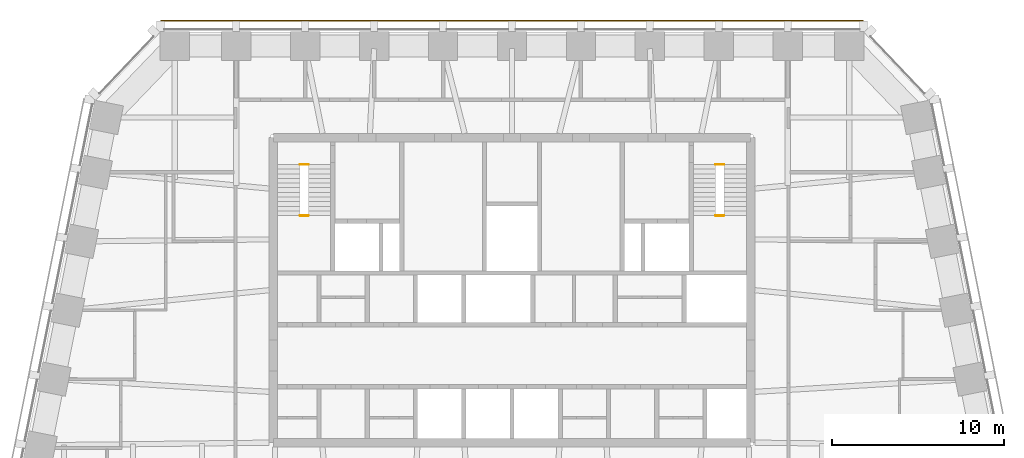
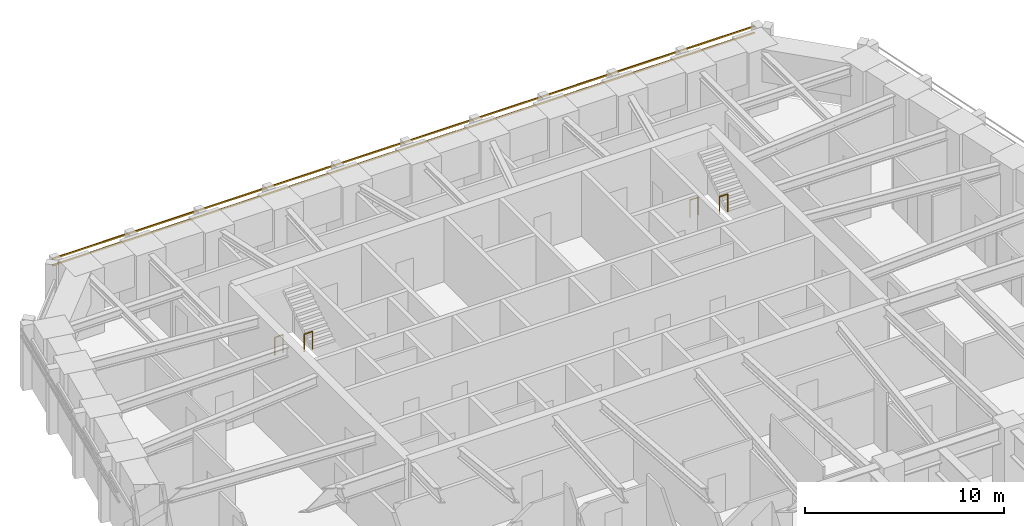
# One storey, part 11 of 11: 4 railings, 2 shading devices.
"""IFC4 building model written with IfcOpenShell, lengths in metres."""

import ifcopenshell
import ifcopenshell.guid

model = None  # the IFC model being written
_history = None  # IfcOwnerHistory: only IFC2X3 demands one
_inside = {}  # id of a spatial element -> (the spatial element, [elements in it])
_under = {}  # id of a project, library or spatial element -> (it, [spatial elements below it])
_declared = {}  # id of a project -> (the project, [libraries it declares])
_typed = {}  # id of a type object -> (the type object, [elements of that type])
_made_of = {}  # id of a material, layer set ... -> (it, [elements and type objects made of it])


def new_model(schema):
    """Start an empty IFC model of exactly this schema.

    Asked for "IFC4X3", IfcOpenShell would pick the latest addendum, in which some entities
    have other attributes; the version numbers below select the first issue.
    IFC2X3 requires an IfcOwnerHistory on every rooted entity: one is made here for all.
    """
    global model, _history
    if schema == "IFC4X3":
        model = ifcopenshell.file(schema_version=(4, 3, 0, 0))
    else:
        model = ifcopenshell.file(schema=schema)
    _inside.clear()
    _under.clear()
    _declared.clear()
    _typed.clear()
    _made_of.clear()
    _history = None
    if model.schema == "IFC2X3":
        org = make("IfcOrganization", Name="unknown")
        user = make(
            "IfcPersonAndOrganization",
            ThePerson=make("IfcPerson", FamilyName="unknown"),
            TheOrganization=org,
        )
        app = make(
            "IfcApplication",
            ApplicationDeveloper=org,
            Version="unknown",
            ApplicationFullName="unknown",
            ApplicationIdentifier="unknown",
        )
        _history = make(
            "IfcOwnerHistory",
            OwningUser=user,
            OwningApplication=app,
            ChangeAction="ADDED",
            CreationDate=0,
        )
    return model


def make(cls, **values):
    """One entity of the class cls with the attributes given. An attribute that is None is left unset."""
    return model.create_entity(
        cls, **{name: value for name, value in values.items() if value is not None}
    )


def rooted(cls, **values):
    """An entity with a GlobalId (a new one), such as an element, a storey or a relation."""
    return make(cls, GlobalId=ifcopenshell.guid.new(), OwnerHistory=_history, **values)


def si_unit(unit_type, name, prefix=None):
    """IfcSIUnit, for example si_unit("LENGTHUNIT", "METRE", prefix="MILLI")."""
    return make("IfcSIUnit", UnitType=unit_type, Prefix=prefix, Name=name)


def assignment(units):
    """IfcUnitAssignment: the units of a project."""
    return None if units is None else make("IfcUnitAssignment", Units=units)


def point(xyz):
    """IfcCartesianPoint."""
    return None if xyz is None else make("IfcCartesianPoint", Coordinates=xyz)


def direction(xyz):
    """IfcDirection."""
    return None if xyz is None else make("IfcDirection", DirectionRatios=xyz)


def frame(location, z_axis=None, x_axis=None):
    """IfcAxis2Placement3D, a coordinate frame: its origin and axes. An axis left out is left unset."""
    return make(
        "IfcAxis2Placement3D",
        Location=point(location),
        Axis=direction(z_axis),
        RefDirection=direction(x_axis),
    )


def frame_2d(location, x_axis=None):
    """IfcAxis2Placement2D, a coordinate frame in the plane: its origin and x axis."""
    return make(
        "IfcAxis2Placement2D", Location=point(location), RefDirection=direction(x_axis)
    )


def origin():
    """The frame at (0, 0, 0) with its axes left unset."""
    return frame((0.0, 0.0, 0.0))


def origin_2d():
    """The frame at (0, 0) in the plane with its x axis left unset."""
    return frame_2d((0.0, 0.0))


def place(relative_to, where):
    """IfcLocalPlacement: puts the frame where relative to a parent placement (None: the world)."""
    return make(
        "IfcLocalPlacement", PlacementRelTo=relative_to, RelativePlacement=where
    )


def context(
    kind, dimensions, precision=None, world=None, true_north=None, identifier=None
):
    """IfcGeometricRepresentationContext, for example the 3D "Model" context."""
    return make(
        "IfcGeometricRepresentationContext",
        ContextIdentifier=identifier,
        ContextType=kind,
        CoordinateSpaceDimension=dimensions,
        Precision=precision,
        WorldCoordinateSystem=world,
        TrueNorth=true_north,
    )


def subcontext(parent, identifier, kind, view, scale=None):
    """IfcGeometricRepresentationSubContext, for example "Body" below "Model"."""
    return make(
        "IfcGeometricRepresentationSubContext",
        ContextIdentifier=identifier,
        ContextType=kind,
        ParentContext=parent,
        TargetScale=scale,
        TargetView=view,
    )


def project(units=None, contexts=None):
    """IfcProject with its units and contexts."""
    return rooted(
        "IfcProject",
        Name="project",
        RepresentationContexts=contexts,
        UnitsInContext=assignment(units),
    )


def spatial(cls, under=None, at=None, **own):
    """A site, building, storey or space (cls), placed at a placement, below another one or the project."""
    s = rooted(cls, ObjectPlacement=at, **own)
    if under is not None:
        _under.setdefault(under.id(), (under, []))[1].append(s)
    return s


def profile(cls, at=None, kind="AREA", **sizes):
    """A parametric profile (cls). Its sizes go by their IFC names, for example OverallWidth=200.0."""
    return make(cls, ProfileType=kind, Position=at, **sizes)


def rectangle(**sizes):
    """IfcRectangleProfileDef."""
    return profile("IfcRectangleProfileDef", **sizes)


def circle(**sizes):
    """IfcCircleProfileDef."""
    return profile("IfcCircleProfileDef", **sizes)


def extrude(swept, where, along, depth):
    """IfcExtrudedAreaSolid: the profile swept, set in the frame where, extruded along a direction by depth."""
    return make(
        "IfcExtrudedAreaSolid",
        SweptArea=swept,
        Position=where,
        ExtrudedDirection=direction(along),
        Depth=depth,
    )


def shape(context_of_items, identifier, shape_type, items):
    """IfcShapeRepresentation: the items that make up one representation, for example the "Body"."""
    return make(
        "IfcShapeRepresentation",
        ContextOfItems=context_of_items,
        RepresentationIdentifier=identifier,
        RepresentationType=shape_type,
        Items=items,
    )


def material(Name=None, Category=None):
    """IfcMaterial."""
    return make("IfcMaterial", Name=Name, Category=Category)


def material_profile(
    of_material, cross_section, Name=None, Category=None, Priority=None
):
    """IfcMaterialProfile: a cross section and its material."""
    return make(
        "IfcMaterialProfile",
        Name=Name,
        Material=of_material,
        Profile=cross_section,
        Priority=Priority,
        Category=Category,
    )


def profile_set(profiles, Name=None, composite=None):
    """IfcMaterialProfileSet."""
    return make(
        "IfcMaterialProfileSet",
        Name=Name,
        MaterialProfiles=profiles,
        CompositeProfile=composite,
    )


def made_of(thing, what):
    """Note that an element or type object is made of a material, layer set ...; save() writes the relation."""
    if what is not None:
        _made_of.setdefault(what.id(), (what, []))[1].append(thing)
    return thing


def type_object(cls, material=None, **own):
    """A type object (cls), such as IfcWallType, which elements share."""
    return made_of(rooted(cls, **own), material)


def element(
    cls,
    number,
    at=None,
    inside=None,
    cuts=None,
    type_object=None,
    material=None,
    context=None,
    identifier="Body",
    shape_type=None,
    held_by="IfcProductDefinitionShape",
    body=None,
    shapes=None,
    **own,
):
    """One element of the class cls, such as IfcWall. Its Tag is "e" and its number.

    at: its placement. inside: the storey or other place that contains it. cuts: it is an
    opening in that element (IfcRelVoidsElement). A single representation is given by context,
    identifier, shape_type and body (its items); several are given by shapes. held_by: the class
    of the entity that holds the representations. save() writes the other relations.
    """
    e = rooted(cls, Tag="e%d" % number, ObjectPlacement=at, **own)
    if body is not None:
        shapes = [shape(context, identifier, shape_type, body)]
    if shapes is not None:
        e.Representation = make(held_by, Representations=shapes)
    if inside is not None:
        _inside.setdefault(inside.id(), (inside, []))[1].append(e)
    if cuts is not None:
        rooted(
            "IfcRelVoidsElement", RelatingBuildingElement=cuts, RelatedOpeningElement=e
        )
    if type_object is not None:
        _typed.setdefault(type_object.id(), (type_object, []))[1].append(e)
    return made_of(e, material)


def aggregate(whole, parts):
    """IfcRelAggregates: a whole, such as a stair, and the parts it consists of."""
    return rooted("IfcRelAggregates", RelatingObject=whole, RelatedObjects=parts)


def save(model, path):
    """Write the relations noted so far, then the file.

    IfcRelAggregates (storeys below a building ...), IfcRelContainedInSpatialStructure (elements
    in a storey), IfcRelDefinesByType, IfcRelAssociatesMaterial and IfcRelDeclares: one each for
    every whole, place, type object, material and project.
    """
    for whole, parts in _under.values():
        aggregate(whole, parts)
    for where, things in _inside.values():
        rooted(
            "IfcRelContainedInSpatialStructure",
            RelatedElements=things,
            RelatingStructure=where,
        )
    for kind, things in _typed.values():
        rooted("IfcRelDefinesByType", RelatedObjects=things, RelatingType=kind)
    for what, things in _made_of.values():
        rooted("IfcRelAssociatesMaterial", RelatedObjects=things, RelatingMaterial=what)
    for by, libraries in _declared.values():
        rooted("IfcRelDeclares", RelatingContext=by, RelatedDefinitions=libraries)
    model.write(path)


model = new_model("IFC4")

# Units and contexts
model_context = context("Model", 3, precision=1e-05, world=origin(), true_north=direction((0.0, 1.0)))
body_context = subcontext(model_context, "Body", "Model", "MODEL_VIEW")
ifc_project = project(units=[si_unit("LENGTHUNIT", "METRE"), si_unit("AREAUNIT", "SQUARE_METRE"), si_unit("VOLUMEUNIT", "CUBIC_METRE"), si_unit("PLANEANGLEUNIT", "RADIAN"), si_unit("MASSUNIT", "GRAM", prefix="KILO")], contexts=[model_context])

# Site, building, storey
site_placement = place(None, origin())
site = spatial("IfcSite", under=ifc_project, at=site_placement, CompositionType="ELEMENT")
building_placement = place(site_placement, origin())
building = spatial("IfcBuilding", under=site, at=building_placement, Name="Isbrekke Arena Tower", CompositionType="ELEMENT")
storey_placement = place(building_placement, frame((0.0, 0.0, 268.0)))
storey = spatial("IfcBuildingStorey", under=building, at=storey_placement, Name="L62", CompositionType="ELEMENT", Elevation=268.0)

# Shading devices
ifc_material_1 = material(Name="Terracotta", Category="masonry")
ifc_material_profile = material_profile(ifc_material_1, rectangle(XDim=0.06005859375, YDim=0.06005859375, at=origin_2d()), Name="BAGUETTE 60X60")
ifc_profile_set = profile_set([ifc_material_profile], Name="Terracotta")
shading_device_type = type_object("IfcShadingDeviceType", Name="BG1 TERRACOTTA BAGUETTE 60 x 60", PredefinedType="USERDEFINED", material=ifc_profile_set)
for number, where, z_axis, x_axis, name in (
    (1, (20.39990234375, 30.655029296875, 3.280029296875), (-1.0, 0.0, 0.0), (0.0, -1.0, 0.0), "BG1 terracotta baguette N1 L62"),
    (2, (20.39990234375, 30.655029296875, 3.679931640625), (-1.0, 0.0, 0.0), (0.0, -1.0, 0.0), "BG1 terracotta baguette N2 L62"),
):
    element("IfcShadingDevice", number, at=place(storey_placement, frame(where, z_axis=z_axis, x_axis=x_axis)), inside=storey, type_object=shading_device_type, Name=name, ObjectType="TERRACOTTA BAGUETTE", PredefinedType="USERDEFINED", context=body_context, shape_type="SweptSolid", body=[
        extrude(rectangle(XDim=0.06005859375, YDim=0.06005859375, at=origin_2d()), origin(), (0.0, 0.0, 1.0), 40.7998046875),
    ])

# Railings
ifc_material_2 = material(Name="Steel stair guard, vertical bars, steel handrail", Category="steel")
railing_type = type_object("IfcRailingType", Name="GR3 STAIR WELL GUARD 1100", PredefinedType="GUARDRAIL", material=ifc_material_2)
for number, where, name in (
    (3, (-12.300048828125, 22.300048828125, 0.0), "GR3 stair well guard ST1 L62"),
    (4, (-12.300048828125, 19.330078125, 2.0), "GR3 stair well guard ST1 L62"),
    (5, (11.824951171875, 22.300048828125, 0.0), "GR3 stair well guard ST2 L62"),
    (6, (11.824951171875, 19.330078125, 2.0), "GR3 stair well guard ST2 L62"),
):
    element("IfcRailing", number, at=place(storey_placement, frame(where)), inside=storey, type_object=railing_type, Name=name, PredefinedType="GUARDRAIL", context=body_context, shape_type="SweptSolid", body=[
        extrude(circle(Radius=0.02392578125, at=origin_2d()), frame((0.0, 0.0, 1.076171875), z_axis=(1.0, 0.0, 0.0), x_axis=(0.0, 1.0, 0.0)), (0.0, 0.0, 1.0), 0.47509765625),
        extrude(circle(Radius=0.02099609375, at=origin_2d()), origin(), (0.0, 0.0, 1.0), 1.052001953125),
        extrude(circle(Radius=0.02099609375, at=origin_2d()), frame((0.47509765625, 0.0, 0.0)), (0.0, 0.0, 1.0), 1.052001953125),
    ])

save(model, "model.ifc")
